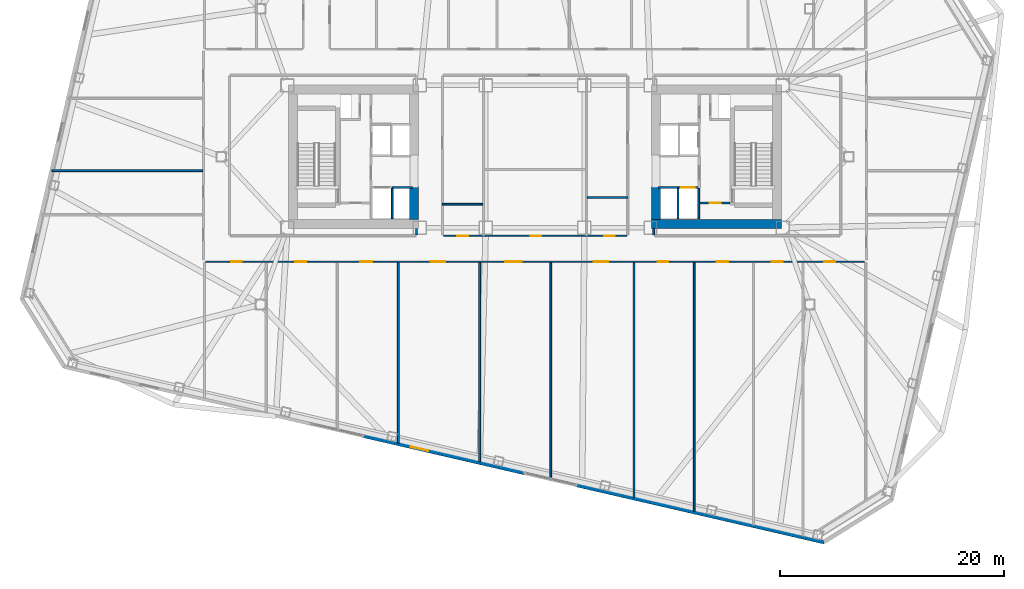
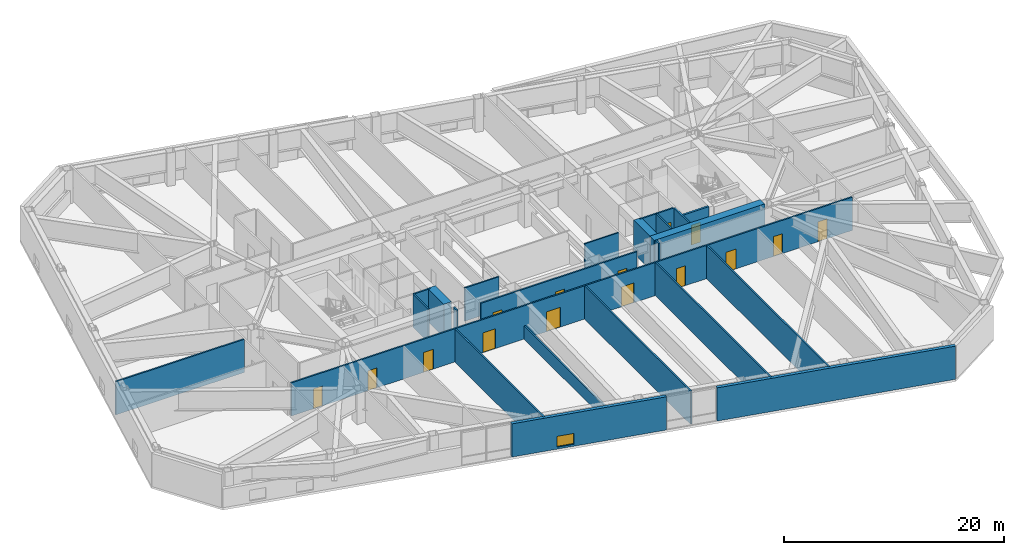
# One storey, part 10 of 19: 24 walls, 15 doors, 1 window, 16 openings.
"""IFC4 building model written with IfcOpenShell, lengths in metres."""

import ifcopenshell
import ifcopenshell.guid

model = None  # the IFC model being written
_history = None  # IfcOwnerHistory: only IFC2X3 demands one
_inside = {}  # id of a spatial element -> (the spatial element, [elements in it])
_under = {}  # id of a project, library or spatial element -> (it, [spatial elements below it])
_declared = {}  # id of a project -> (the project, [libraries it declares])
_typed = {}  # id of a type object -> (the type object, [elements of that type])
_made_of = {}  # id of a material, layer set ... -> (it, [elements and type objects made of it])


def new_model(schema):
    """Start an empty IFC model of exactly this schema.

    Asked for "IFC4X3", IfcOpenShell would pick the latest addendum, in which some entities
    have other attributes; the version numbers below select the first issue.
    IFC2X3 requires an IfcOwnerHistory on every rooted entity: one is made here for all.
    """
    global model, _history
    if schema == "IFC4X3":
        model = ifcopenshell.file(schema_version=(4, 3, 0, 0))
    else:
        model = ifcopenshell.file(schema=schema)
    _inside.clear()
    _under.clear()
    _declared.clear()
    _typed.clear()
    _made_of.clear()
    _history = None
    if model.schema == "IFC2X3":
        org = make("IfcOrganization", Name="unknown")
        user = make(
            "IfcPersonAndOrganization",
            ThePerson=make("IfcPerson", FamilyName="unknown"),
            TheOrganization=org,
        )
        app = make(
            "IfcApplication",
            ApplicationDeveloper=org,
            Version="unknown",
            ApplicationFullName="unknown",
            ApplicationIdentifier="unknown",
        )
        _history = make(
            "IfcOwnerHistory",
            OwningUser=user,
            OwningApplication=app,
            ChangeAction="ADDED",
            CreationDate=0,
        )
    return model


def make(cls, **values):
    """One entity of the class cls with the attributes given. An attribute that is None is left unset."""
    return model.create_entity(
        cls, **{name: value for name, value in values.items() if value is not None}
    )


def rooted(cls, **values):
    """An entity with a GlobalId (a new one), such as an element, a storey or a relation."""
    return make(cls, GlobalId=ifcopenshell.guid.new(), OwnerHistory=_history, **values)


def si_unit(unit_type, name, prefix=None):
    """IfcSIUnit, for example si_unit("LENGTHUNIT", "METRE", prefix="MILLI")."""
    return make("IfcSIUnit", UnitType=unit_type, Prefix=prefix, Name=name)


def assignment(units):
    """IfcUnitAssignment: the units of a project."""
    return None if units is None else make("IfcUnitAssignment", Units=units)


def point(xyz):
    """IfcCartesianPoint."""
    return None if xyz is None else make("IfcCartesianPoint", Coordinates=xyz)


def direction(xyz):
    """IfcDirection."""
    return None if xyz is None else make("IfcDirection", DirectionRatios=xyz)


def frame(location, z_axis=None, x_axis=None):
    """IfcAxis2Placement3D, a coordinate frame: its origin and axes. An axis left out is left unset."""
    return make(
        "IfcAxis2Placement3D",
        Location=point(location),
        Axis=direction(z_axis),
        RefDirection=direction(x_axis),
    )


def frame_2d(location, x_axis=None):
    """IfcAxis2Placement2D, a coordinate frame in the plane: its origin and x axis."""
    return make(
        "IfcAxis2Placement2D", Location=point(location), RefDirection=direction(x_axis)
    )


def origin():
    """The frame at (0, 0, 0) with its axes left unset."""
    return frame((0.0, 0.0, 0.0))


def place(relative_to, where):
    """IfcLocalPlacement: puts the frame where relative to a parent placement (None: the world)."""
    return make(
        "IfcLocalPlacement", PlacementRelTo=relative_to, RelativePlacement=where
    )


def context(
    kind, dimensions, precision=None, world=None, true_north=None, identifier=None
):
    """IfcGeometricRepresentationContext, for example the 3D "Model" context."""
    return make(
        "IfcGeometricRepresentationContext",
        ContextIdentifier=identifier,
        ContextType=kind,
        CoordinateSpaceDimension=dimensions,
        Precision=precision,
        WorldCoordinateSystem=world,
        TrueNorth=true_north,
    )


def subcontext(parent, identifier, kind, view, scale=None):
    """IfcGeometricRepresentationSubContext, for example "Body" below "Model"."""
    return make(
        "IfcGeometricRepresentationSubContext",
        ContextIdentifier=identifier,
        ContextType=kind,
        ParentContext=parent,
        TargetScale=scale,
        TargetView=view,
    )


def project(units=None, contexts=None):
    """IfcProject with its units and contexts."""
    return rooted(
        "IfcProject",
        Name="project",
        RepresentationContexts=contexts,
        UnitsInContext=assignment(units),
    )


def spatial(cls, under=None, at=None, **own):
    """A site, building, storey or space (cls), placed at a placement, below another one or the project."""
    s = rooted(cls, ObjectPlacement=at, **own)
    if under is not None:
        _under.setdefault(under.id(), (under, []))[1].append(s)
    return s


def profile(cls, at=None, kind="AREA", **sizes):
    """A parametric profile (cls). Its sizes go by their IFC names, for example OverallWidth=200.0."""
    return make(cls, ProfileType=kind, Position=at, **sizes)


def rectangle(**sizes):
    """IfcRectangleProfileDef."""
    return profile("IfcRectangleProfileDef", **sizes)


def extrude(swept, where, along, depth):
    """IfcExtrudedAreaSolid: the profile swept, set in the frame where, extruded along a direction by depth."""
    return make(
        "IfcExtrudedAreaSolid",
        SweptArea=swept,
        Position=where,
        ExtrudedDirection=direction(along),
        Depth=depth,
    )


def shape(context_of_items, identifier, shape_type, items):
    """IfcShapeRepresentation: the items that make up one representation, for example the "Body"."""
    return make(
        "IfcShapeRepresentation",
        ContextOfItems=context_of_items,
        RepresentationIdentifier=identifier,
        RepresentationType=shape_type,
        Items=items,
    )


def material(Name=None, Category=None):
    """IfcMaterial."""
    return make("IfcMaterial", Name=Name, Category=Category)


def layer(
    of_material, thickness, ventilated=None, Name=None, Category=None, Priority=None
):
    """IfcMaterialLayer: one layer of a wall or slab, of a material (None: an air gap)."""
    return make(
        "IfcMaterialLayer",
        Material=of_material,
        LayerThickness=thickness,
        IsVentilated=ventilated,
        Name=Name,
        Category=Category,
        Priority=Priority,
    )


def layer_set(layers, Name=None):
    """IfcMaterialLayerSet."""
    return make("IfcMaterialLayerSet", MaterialLayers=layers, LayerSetName=Name)


def made_of(thing, what):
    """Note that an element or type object is made of a material, layer set ...; save() writes the relation."""
    if what is not None:
        _made_of.setdefault(what.id(), (what, []))[1].append(thing)
    return thing


def type_object(cls, material=None, **own):
    """A type object (cls), such as IfcWallType, which elements share."""
    return made_of(rooted(cls, **own), material)


def element(
    cls,
    number,
    at=None,
    inside=None,
    cuts=None,
    type_object=None,
    material=None,
    context=None,
    identifier="Body",
    shape_type=None,
    held_by="IfcProductDefinitionShape",
    body=None,
    shapes=None,
    **own,
):
    """One element of the class cls, such as IfcWall. Its Tag is "e" and its number.

    at: its placement. inside: the storey or other place that contains it. cuts: it is an
    opening in that element (IfcRelVoidsElement). A single representation is given by context,
    identifier, shape_type and body (its items); several are given by shapes. held_by: the class
    of the entity that holds the representations. save() writes the other relations.
    """
    e = rooted(cls, Tag="e%d" % number, ObjectPlacement=at, **own)
    if body is not None:
        shapes = [shape(context, identifier, shape_type, body)]
    if shapes is not None:
        e.Representation = make(held_by, Representations=shapes)
    if inside is not None:
        _inside.setdefault(inside.id(), (inside, []))[1].append(e)
    if cuts is not None:
        rooted(
            "IfcRelVoidsElement", RelatingBuildingElement=cuts, RelatedOpeningElement=e
        )
    if type_object is not None:
        _typed.setdefault(type_object.id(), (type_object, []))[1].append(e)
    return made_of(e, material)


def fill(opening, filler):
    """IfcRelFillsElement: the door or window that sits in an opening."""
    return rooted(
        "IfcRelFillsElement",
        RelatingOpeningElement=opening,
        RelatedBuildingElement=filler,
    )


def aggregate(whole, parts):
    """IfcRelAggregates: a whole, such as a stair, and the parts it consists of."""
    return rooted("IfcRelAggregates", RelatingObject=whole, RelatedObjects=parts)


def save(model, path):
    """Write the relations noted so far, then the file.

    IfcRelAggregates (storeys below a building ...), IfcRelContainedInSpatialStructure (elements
    in a storey), IfcRelDefinesByType, IfcRelAssociatesMaterial and IfcRelDeclares: one each for
    every whole, place, type object, material and project.
    """
    for whole, parts in _under.values():
        aggregate(whole, parts)
    for where, things in _inside.values():
        rooted(
            "IfcRelContainedInSpatialStructure",
            RelatedElements=things,
            RelatingStructure=where,
        )
    for kind, things in _typed.values():
        rooted("IfcRelDefinesByType", RelatedObjects=things, RelatingType=kind)
    for what, things in _made_of.values():
        rooted("IfcRelAssociatesMaterial", RelatedObjects=things, RelatingMaterial=what)
    for by, libraries in _declared.values():
        rooted("IfcRelDeclares", RelatingContext=by, RelatedDefinitions=libraries)
    model.write(path)


model = new_model("IFC4")

# Units and contexts
model_context = context("Model", 3, precision=1e-05, world=origin(), true_north=direction((0.0, 1.0)))
body_context = subcontext(model_context, "Body", "Model", "MODEL_VIEW")
ifc_project = project(units=[si_unit("LENGTHUNIT", "METRE"), si_unit("AREAUNIT", "SQUARE_METRE"), si_unit("VOLUMEUNIT", "CUBIC_METRE"), si_unit("PLANEANGLEUNIT", "RADIAN"), si_unit("MASSUNIT", "GRAM", prefix="KILO")], contexts=[model_context])

# Site, building, storey
site_placement = place(None, origin())
site = spatial("IfcSite", under=ifc_project, at=site_placement, CompositionType="ELEMENT")
building_placement = place(site_placement, origin())
building = spatial("IfcBuilding", under=site, at=building_placement, Name="Tavrogorsk Clinical Tower", CompositionType="ELEMENT")
storey_placement = place(building_placement, frame((0.0, 0.0, 79.39990234375)))
storey = spatial("IfcBuildingStorey", under=building, at=storey_placement, Name="L17", CompositionType="ELEMENT", Elevation=79.39990234375)

# Wall, opening, door
ifc_material_1 = material(Name="Concrete B60", Category="concrete")
ifc_layer_1 = layer(ifc_material_1, 0.199951171875)
ifc_layer_set_1 = layer_set([ifc_layer_1], Name="Concrete B60")
wall_type_1 = type_object("IfcWallType", Name="CoreFireWall_200", PredefinedType="SOLIDWALL", material=ifc_layer_set_1)
wall_1_placement = place(storey_placement, frame((14.719970703125, -4.139892578125, 0.0), z_axis=(0.0, 0.0, 1.0), x_axis=(1.0, 0.0, 0.0)))
wall_1 = element("IfcWall", 1, at=wall_1_placement, inside=storey, type_object=wall_type_1, Name="L17 Core East South Core Room Fire Wall", PredefinedType="SOLIDWALL", context=body_context, shape_type="SweptSolid", body=[
    extrude(rectangle(XDim=2.659912109375, YDim=0.199951171875, at=frame_2d((1.330078125, 0.0))), origin(), (0.0, 0.0, 1.0), 3.68017578125),
])
opening_1_placement = place(wall_1_placement, frame((0.8798828125, 0.0, 0.0)))
opening_1 = element("IfcOpeningElement", 2, at=opening_1_placement, cuts=wall_1, Name="Opening ID-02", PredefinedType="OPENING", context=body_context, shape_type="SweptSolid", body=[
    extrude(rectangle(XDim=0.949951171875, YDim=2.199951171875, at=frame_2d((0.47509765625, 1.10009765625))), frame((0.0, 0.10986328125, 0.0), z_axis=(0.0, -1.0, 0.0), x_axis=(1.0, 0.0, 0.0)), (0.0, 0.0, 1.0), 0.219970703125),
])
ifc_material_2 = material(Name="Laminated timber leaf on aluminium frame", Category="wood")
door_type_1 = type_object("IfcDoorType", Name="InteriorDoor_ID02_950", OperationType="NOTDEFINED", PredefinedType="DOOR", material=ifc_material_2)
door_1_placement = place(opening_1_placement, origin())
door_1 = element("IfcDoor", 3, at=door_1_placement, inside=storey, type_object=door_type_1, Name="L17 Core East South Core Room Door", OperationType="SINGLE_SWING_RIGHT", OverallHeight=2.199951171875, OverallWidth=0.949951171875, PredefinedType="DOOR", context=body_context, shape_type="SweptSolid", body=[
    extrude(rectangle(XDim=0.949951171875, YDim=2.199951171875, at=frame_2d((0.47509765625, 1.10009765625))), frame((0.0, 0.02490234375, 0.0), z_axis=(0.0, -1.0, 0.0), x_axis=(1.0, 0.0, 0.0)), (0.0, 0.0, 1.0), 0.050048828125),
])
fill(opening_1, door_1)

# Walls
ifc_material_3 = material(Name="Lightweight concrete blockwork B15", Category="masonry")
ifc_layer_2 = layer(ifc_material_3, 0.139892578125)
ifc_layer_set_2 = layer_set([ifc_layer_2], Name="Lightweight concrete blockwork B15")
wall_type_2 = type_object("IfcWallType", Name="PartitionWall_140", PredefinedType="PARTITIONING", material=ifc_layer_set_2)
for number, where, z_axis, x_axis, name in (
    (4, (-8.264892578125, -4.25, 0.0), (0.0, 0.0, 1.0), (1.0, 0.0, 0.0), "L17 Central Spine Partition 4"),
    (5, (4.675048828125, -3.64990234375, 0.0), (0.0, 0.0, 1.0), (1.0, 0.0, 0.0), "L17 Central Spine Partition 5"),
):
    element("IfcWall", number, at=place(storey_placement, frame(where, z_axis=z_axis, x_axis=x_axis)), inside=storey, type_object=wall_type_2, Name=name, PredefinedType="PARTITIONING", context=body_context, shape_type="SweptSolid", body=[
        extrude(rectangle(XDim=3.58984375, YDim=0.139892578125, at=frame_2d((1.794921875, 0.0))), origin(), (0.0, 0.0, 1.0), 3.68017578125),
    ])

# Wall, openings, doors
ifc_material_4 = material(Name="Lightweight concrete blockwork B15", Category="masonry")
ifc_layer_3 = layer(ifc_material_4, 0.159912109375)
ifc_layer_set_3 = layer_set([ifc_layer_3], Name="Lightweight concrete blockwork B15")
wall_type_3 = type_object("IfcWallType", Name="PartitionWall_160", PredefinedType="PARTITIONING", material=ifc_layer_set_3)
wall_2_placement = place(storey_placement, frame((29.4150390625, -9.3798828125, 0.0), z_axis=(0.0, 0.0, 1.0), x_axis=(-1.0, 0.0, 0.0)))
wall_2 = element("IfcWall", 6, at=wall_2_placement, inside=storey, type_object=wall_type_3, Name="L17 Corridor Partition 08", PredefinedType="PARTITIONING", context=body_context, shape_type="SweptSolid", body=[
    extrude(rectangle(XDim=58.830078125, YDim=0.159912109375, at=frame_2d((29.4150390625, 0.0))), origin(), (0.0, 0.0, 1.0), 3.68017578125),
])
opening_2_placement = place(wall_2_placement, frame((55.580810546875, 0.0, 0.0)))
opening_2 = element("IfcOpeningElement", 7, at=opening_2_placement, cuts=wall_2, Name="Opening ID-02", PredefinedType="OPENING", context=body_context, shape_type="SweptSolid", body=[
    extrude(rectangle(XDim=0.949951171875, YDim=2.199951171875, at=frame_2d((0.47509765625, 1.10009765625))), frame((0.0, 0.08984375, 0.0), z_axis=(0.0, -1.0, 0.0), x_axis=(1.0, 0.0, 0.0)), (0.0, 0.0, 1.0), 0.179931640625),
])
opening_3_placement = place(wall_2_placement, frame((49.85009765625, 0.0, 0.0)))
opening_3 = element("IfcOpeningElement", 8, at=opening_3_placement, cuts=wall_2, Name="Opening ID-02", PredefinedType="OPENING", context=body_context, shape_type="SweptSolid", body=[
    extrude(rectangle(XDim=0.949951171875, YDim=2.199951171875, at=frame_2d((0.47509765625, 1.10009765625))), frame((0.0, 0.08984375, 0.0), z_axis=(0.0, -1.0, 0.0), x_axis=(1.0, 0.0, 0.0)), (0.0, 0.0, 1.0), 0.179931640625),
])
opening_4_placement = place(wall_2_placement, frame((43.949951171875, 0.0, 0.0)))
opening_4 = element("IfcOpeningElement", 9, at=opening_4_placement, cuts=wall_2, Name="Opening ID-04", PredefinedType="OPENING", context=body_context, shape_type="SweptSolid", body=[
    extrude(rectangle(XDim=1.050048828125, YDim=2.199951171875, at=frame_2d((0.52490234375, 1.10009765625))), frame((0.0, 0.08984375, 0.0), z_axis=(0.0, -1.0, 0.0), x_axis=(1.0, 0.0, 0.0)), (0.0, 0.0, 1.0), 0.179931640625),
])
opening_5_placement = place(wall_2_placement, frame((37.425048828125, 0.0, 0.0)))
opening_5 = element("IfcOpeningElement", 10, at=opening_5_placement, cuts=wall_2, Name="Opening ID-01", PredefinedType="OPENING", context=body_context, shape_type="SweptSolid", body=[
    extrude(rectangle(XDim=1.300048828125, YDim=2.199951171875, at=frame_2d((0.64990234375, 1.10009765625))), frame((0.0, 0.08984375, 0.0), z_axis=(0.0, -1.0, 0.0), x_axis=(1.0, 0.0, 0.0)), (0.0, 0.0, 1.0), 0.179931640625),
])
opening_6_placement = place(wall_2_placement, frame((30.625, 0.0, 0.0)))
opening_6 = element("IfcOpeningElement", 11, at=opening_6_placement, cuts=wall_2, Name="Opening ID-05", PredefinedType="OPENING", context=body_context, shape_type="SweptSolid", body=[
    extrude(rectangle(XDim=1.449951171875, YDim=2.199951171875, at=frame_2d((0.72509765625, 1.10009765625))), frame((0.0, 0.08984375, 0.0), z_axis=(0.0, -1.0, 0.0), x_axis=(1.0, 0.0, 0.0)), (0.0, 0.0, 1.0), 0.179931640625),
])
opening_7_placement = place(wall_2_placement, frame((22.89990234375, 0.0, 0.0)))
opening_7 = element("IfcOpeningElement", 12, at=opening_7_placement, cuts=wall_2, Name="Opening ID-01", PredefinedType="OPENING", context=body_context, shape_type="SweptSolid", body=[
    extrude(rectangle(XDim=1.300048828125, YDim=2.199951171875, at=frame_2d((0.64990234375, 1.10009765625))), frame((0.0, 0.08984375, 0.0), z_axis=(0.0, -1.0, 0.0), x_axis=(1.0, 0.0, 0.0)), (0.0, 0.0, 1.0), 0.179931640625),
])
opening_8_placement = place(wall_2_placement, frame((17.514892578125, 0.0, 0.0)))
opening_8 = element("IfcOpeningElement", 13, at=opening_8_placement, cuts=wall_2, Name="Opening ID-02", PredefinedType="OPENING", context=body_context, shape_type="SweptSolid", body=[
    extrude(rectangle(XDim=0.949951171875, YDim=2.199951171875, at=frame_2d((0.47509765625, 1.10009765625))), frame((0.0, 0.08984375, 0.0), z_axis=(0.0, -1.0, 0.0), x_axis=(1.0, 0.0, 0.0)), (0.0, 0.0, 1.0), 0.179931640625),
])
opening_9_placement = place(wall_2_placement, frame((12.175048828125, 0.0, 0.0)))
opening_9 = element("IfcOpeningElement", 14, at=opening_9_placement, cuts=wall_2, Name="Opening ID-04", PredefinedType="OPENING", context=body_context, shape_type="SweptSolid", body=[
    extrude(rectangle(XDim=1.050048828125, YDim=2.199951171875, at=frame_2d((0.52490234375, 1.10009765625))), frame((0.0, 0.08984375, 0.0), z_axis=(0.0, -1.0, 0.0), x_axis=(1.0, 0.0, 0.0)), (0.0, 0.0, 1.0), 0.179931640625),
])
opening_10_placement = place(wall_2_placement, frame((7.324951171875, 0.0, 0.0)))
opening_10 = element("IfcOpeningElement", 15, at=opening_10_placement, cuts=wall_2, Name="Opening ID-02", PredefinedType="OPENING", context=body_context, shape_type="SweptSolid", body=[
    extrude(rectangle(XDim=0.949951171875, YDim=2.199951171875, at=frame_2d((0.47509765625, 1.10009765625))), frame((0.0, 0.08984375, 0.0), z_axis=(0.0, -1.0, 0.0), x_axis=(1.0, 0.0, 0.0)), (0.0, 0.0, 1.0), 0.179931640625),
])
opening_11_placement = place(wall_2_placement, frame((2.63916015625, 0.0, 0.0)))
opening_11 = element("IfcOpeningElement", 16, at=opening_11_placement, cuts=wall_2, Name="Opening ID-02", PredefinedType="OPENING", context=body_context, shape_type="SweptSolid", body=[
    extrude(rectangle(XDim=0.949951171875, YDim=2.199951171875, at=frame_2d((0.47509765625, 1.10009765625))), frame((0.0, 0.08984375, 0.0), z_axis=(0.0, -1.0, 0.0), x_axis=(1.0, 0.0, 0.0)), (0.0, 0.0, 1.0), 0.179931640625),
])
ifc_material_5 = material(Name="Antibacterial HPL consultation door on aluminium frame", Category="aluminium")
door_type_2 = type_object("IfcDoorType", Name="ConsultDoor_ID04_1050", OperationType="NOTDEFINED", PredefinedType="DOOR", material=ifc_material_5)
door_2_placement = place(opening_4_placement, origin())
door_2 = element("IfcDoor", 17, at=door_2_placement, inside=storey, type_object=door_type_2, Name="L17 South Attending Physician Office 02B Door", OperationType="SINGLE_SWING_LEFT", OverallHeight=2.199951171875, OverallWidth=1.050048828125, PredefinedType="DOOR", context=body_context, shape_type="SweptSolid", body=[
    extrude(rectangle(XDim=1.050048828125, YDim=2.199951171875, at=frame_2d((0.52490234375, 1.10009765625))), frame((0.0, 0.02490234375, 0.0), z_axis=(0.0, -1.0, 0.0), x_axis=(1.0, 0.0, 0.0)), (0.0, 0.0, 1.0), 0.050048828125),
])
fill(opening_4, door_2)
door_3_placement = place(opening_9_placement, origin())
door_3 = element("IfcDoor", 18, at=door_3_placement, inside=storey, type_object=door_type_2, Name="L17 South Soiled Utility & Sluice Room 05A Door", OperationType="SINGLE_SWING_RIGHT", OverallHeight=2.199951171875, OverallWidth=1.050048828125, PredefinedType="DOOR", context=body_context, shape_type="SweptSolid", body=[
    extrude(rectangle(XDim=1.050048828125, YDim=2.199951171875, at=frame_2d((0.52490234375, 1.10009765625))), frame((0.0, 0.02490234375, 0.0), z_axis=(0.0, -1.0, 0.0), x_axis=(1.0, 0.0, 0.0)), (0.0, 0.0, 1.0), 0.050048828125),
])
fill(opening_9, door_3)
ifc_material_6 = material(Name="Antibacterial HPL bariatric ward double door")
door_type_3 = type_object("IfcDoorType", Name="DoubleWardDoor_ID05_1450", OperationType="DOUBLE_SWING_LEFT", PredefinedType="DOOR", material=ifc_material_6)
door_4_placement = place(opening_6_placement, origin())
door_4 = element("IfcDoor", 19, at=door_4_placement, inside=storey, type_object=door_type_3, Name="L17 South Acute Medical Ward 03B Door", OperationType="DOUBLE_SWING_LEFT", OverallHeight=2.199951171875, OverallWidth=1.449951171875, PredefinedType="DOOR", context=body_context, shape_type="SweptSolid", body=[
    extrude(rectangle(XDim=1.449951171875, YDim=2.199951171875, at=frame_2d((0.72509765625, 1.10009765625))), frame((0.0, 0.02490234375, 0.0), z_axis=(0.0, -1.0, 0.0), x_axis=(1.0, 0.0, 0.0)), (0.0, 0.0, 1.0), 0.050048828125),
])
fill(opening_6, door_4)
door_5_placement = place(opening_2_placement, origin())
door_5 = element("IfcDoor", 20, at=door_5_placement, inside=storey, type_object=door_type_1, Name="L17 South Clinical Case Seminar Room 01 Door", OperationType="SINGLE_SWING_LEFT", OverallHeight=2.199951171875, OverallWidth=0.949951171875, PredefinedType="DOOR", context=body_context, shape_type="SweptSolid", body=[
    extrude(rectangle(XDim=0.949951171875, YDim=2.199951171875, at=frame_2d((0.47509765625, 1.10009765625))), frame((0.0, 0.02490234375, 0.0), z_axis=(0.0, -1.0, 0.0), x_axis=(1.0, 0.0, 0.0)), (0.0, 0.0, 1.0), 0.050048828125),
])
fill(opening_2, door_5)
door_6_placement = place(opening_3_placement, origin())
door_6 = element("IfcDoor", 21, at=door_6_placement, inside=storey, type_object=door_type_1, Name="L17 South Staff Rest & Nourishment Lounge 02A Door", OperationType="SINGLE_SWING_RIGHT", OverallHeight=2.199951171875, OverallWidth=0.949951171875, PredefinedType="DOOR", context=body_context, shape_type="SweptSolid", body=[
    extrude(rectangle(XDim=0.949951171875, YDim=2.199951171875, at=frame_2d((0.47509765625, 1.10009765625))), frame((0.0, 0.02490234375, 0.0), z_axis=(0.0, -1.0, 0.0), x_axis=(1.0, 0.0, 0.0)), (0.0, 0.0, 1.0), 0.050048828125),
])
fill(opening_3, door_6)
door_7_placement = place(opening_8_placement, origin())
door_7 = element("IfcDoor", 22, at=door_7_placement, inside=storey, type_object=door_type_1, Name="L17 South Clean Medication & Prep Room 04B Door", OperationType="SINGLE_SWING_LEFT", OverallHeight=2.199951171875, OverallWidth=0.949951171875, PredefinedType="DOOR", context=body_context, shape_type="SweptSolid", body=[
    extrude(rectangle(XDim=0.949951171875, YDim=2.199951171875, at=frame_2d((0.47509765625, 1.10009765625))), frame((0.0, 0.02490234375, 0.0), z_axis=(0.0, -1.0, 0.0), x_axis=(1.0, 0.0, 0.0)), (0.0, 0.0, 1.0), 0.050048828125),
])
fill(opening_8, door_7)
door_8_placement = place(opening_10_placement, origin())
door_8 = element("IfcDoor", 23, at=door_8_placement, inside=storey, type_object=door_type_1, Name="L17 South Outpatient Procedure Suite 05B Door", OperationType="SINGLE_SWING_LEFT", OverallHeight=2.199951171875, OverallWidth=0.949951171875, PredefinedType="DOOR", context=body_context, shape_type="SweptSolid", body=[
    extrude(rectangle(XDim=0.949951171875, YDim=2.199951171875, at=frame_2d((0.47509765625, 1.10009765625))), frame((0.0, 0.02490234375, 0.0), z_axis=(0.0, -1.0, 0.0), x_axis=(1.0, 0.0, 0.0)), (0.0, 0.0, 1.0), 0.050048828125),
])
fill(opening_10, door_8)
door_9_placement = place(opening_11_placement, origin())
door_9 = element("IfcDoor", 24, at=door_9_placement, inside=storey, type_object=door_type_1, Name="L17 South Clinical Case Seminar Room 06 Door", OperationType="SINGLE_SWING_RIGHT", OverallHeight=2.199951171875, OverallWidth=0.949951171875, PredefinedType="DOOR", context=body_context, shape_type="SweptSolid", body=[
    extrude(rectangle(XDim=0.949951171875, YDim=2.199951171875, at=frame_2d((0.47509765625, 1.10009765625))), frame((0.0, 0.02490234375, 0.0), z_axis=(0.0, -1.0, 0.0), x_axis=(1.0, 0.0, 0.0)), (0.0, 0.0, 1.0), 0.050048828125),
])
fill(opening_11, door_9)
ifc_material_7 = material(Name="Antibacterial HPL medical leaf on aluminium frame", Category="aluminium")
door_type_4 = type_object("IfcDoorType", Name="WardBedDoor_ID01_1300", OperationType="NOTDEFINED", PredefinedType="DOOR", material=ifc_material_7)
door_10_placement = place(opening_5_placement, origin())
door_10 = element("IfcDoor", 25, at=door_10_placement, inside=storey, type_object=door_type_4, Name="L17 South Bariatric Observation Ward 03A Door", OperationType="SINGLE_SWING_RIGHT", OverallHeight=2.199951171875, OverallWidth=1.300048828125, PredefinedType="DOOR", context=body_context, shape_type="SweptSolid", body=[
    extrude(rectangle(XDim=1.300048828125, YDim=2.199951171875, at=frame_2d((0.64990234375, 1.10009765625))), frame((0.0, 0.02490234375, 0.0), z_axis=(0.0, -1.0, 0.0), x_axis=(1.0, 0.0, 0.0)), (0.0, 0.0, 1.0), 0.050048828125),
])
fill(opening_5, door_10)
door_11_placement = place(opening_7_placement, origin())
door_11 = element("IfcDoor", 26, at=door_11_placement, inside=storey, type_object=door_type_4, Name="L17 South Surgical Step-Down Ward 04A Door", OperationType="SINGLE_SWING_RIGHT", OverallHeight=2.199951171875, OverallWidth=1.300048828125, PredefinedType="DOOR", context=body_context, shape_type="SweptSolid", body=[
    extrude(rectangle(XDim=1.300048828125, YDim=2.199951171875, at=frame_2d((0.64990234375, 1.10009765625))), frame((0.0, 0.02490234375, 0.0), z_axis=(0.0, -1.0, 0.0), x_axis=(1.0, 0.0, 0.0)), (0.0, 0.0, 1.0), 0.050048828125),
])
fill(opening_7, door_11)

# Wall
wall_3_placement = place(storey_placement, frame((10.580078125, -6.419921875, 0.0), z_axis=(0.0, 0.0, 1.0), x_axis=(0.0, -1.0, 0.0)))
element("IfcWall", 27, at=wall_3_placement, inside=storey, type_object=wall_type_3, Name="L17 Corridor Partition 11", PredefinedType="PARTITIONING", context=body_context, shape_type="SweptSolid", body=[
    extrude(rectangle(XDim=0.565185546875, YDim=0.159912109375, at=frame_2d((0.28271484375, 0.0))), origin(), (0.0, 0.0, 1.0), 3.68017578125),
])

# Wall, openings, doors
wall_4_placement = place(storey_placement, frame((-8.18505859375, -7.070068359375, 0.0), z_axis=(0.0, 0.0, 1.0), x_axis=(1.0, 0.0, 0.0)))
wall_4 = element("IfcWall", 28, at=wall_4_placement, inside=storey, type_object=wall_type_3, Name="L17 Corridor Partition 17", PredefinedType="PARTITIONING", context=body_context, shape_type="SweptSolid", body=[
    extrude(rectangle(XDim=16.3701171875, YDim=0.159912109375, at=frame_2d((8.18505859375, 0.0))), origin(), (0.0, 0.0, 1.0), 3.68017578125),
])
opening_12_placement = place(wall_4_placement, frame((1.254150390625, 0.0, 0.0)))
opening_12 = element("IfcOpeningElement", 29, at=opening_12_placement, cuts=wall_4, Name="Opening ID-02", PredefinedType="OPENING", context=body_context, shape_type="SweptSolid", body=[
    extrude(rectangle(XDim=0.949951171875, YDim=2.199951171875, at=frame_2d((0.47509765625, 1.10009765625))), frame((0.0, 0.08984375, 0.0), z_axis=(0.0, -1.0, 0.0), x_axis=(1.0, 0.0, 0.0)), (0.0, 0.0, 1.0), 0.179931640625),
])
opening_13_placement = place(wall_4_placement, frame((7.794921875, 0.0, 0.0)))
opening_13 = element("IfcOpeningElement", 30, at=opening_13_placement, cuts=wall_4, Name="Opening ID-02", PredefinedType="OPENING", context=body_context, shape_type="SweptSolid", body=[
    extrude(rectangle(XDim=0.949951171875, YDim=2.199951171875, at=frame_2d((0.47509765625, 1.10009765625))), frame((0.0, 0.08984375, 0.0), z_axis=(0.0, -1.0, 0.0), x_axis=(1.0, 0.0, 0.0)), (0.0, 0.0, 1.0), 0.179931640625),
])
opening_14_placement = place(wall_4_placement, frame((14.3359375, 0.0, 0.0)))
opening_14 = element("IfcOpeningElement", 31, at=opening_14_placement, cuts=wall_4, Name="Opening ID-02", PredefinedType="OPENING", context=body_context, shape_type="SweptSolid", body=[
    extrude(rectangle(XDim=0.949951171875, YDim=2.199951171875, at=frame_2d((0.47509765625, 1.10009765625))), frame((0.0, 0.08984375, 0.0), z_axis=(0.0, -1.0, 0.0), x_axis=(1.0, 0.0, 0.0)), (0.0, 0.0, 1.0), 0.179931640625),
])
door_12_placement = place(opening_12_placement, origin())
door_12 = element("IfcDoor", 32, at=door_12_placement, inside=storey, type_object=door_type_1, Name="L17 Accessible Patient Lavatory Door", OperationType="SINGLE_SWING_LEFT", OverallHeight=2.199951171875, OverallWidth=0.949951171875, PredefinedType="DOOR", context=body_context, shape_type="SweptSolid", body=[
    extrude(rectangle(XDim=0.949951171875, YDim=2.199951171875, at=frame_2d((0.47509765625, 1.10009765625))), frame((0.0, 0.02490234375, 0.0), z_axis=(0.0, -1.0, 0.0), x_axis=(1.0, 0.0, 0.0)), (0.0, 0.0, 1.0), 0.050048828125),
])
fill(opening_12, door_12)
door_13_placement = place(opening_13_placement, origin())
door_13 = element("IfcDoor", 33, at=door_13_placement, inside=storey, type_object=door_type_1, Name="L17 Multidisciplinary Conference Room Door", OperationType="SINGLE_SWING_LEFT", OverallHeight=2.199951171875, OverallWidth=0.949951171875, PredefinedType="DOOR", context=body_context, shape_type="SweptSolid", body=[
    extrude(rectangle(XDim=0.949951171875, YDim=2.199951171875, at=frame_2d((0.47509765625, 1.10009765625))), frame((0.0, 0.02490234375, 0.0), z_axis=(0.0, -1.0, 0.0), x_axis=(1.0, 0.0, 0.0)), (0.0, 0.0, 1.0), 0.050048828125),
])
fill(opening_13, door_13)
door_14_placement = place(opening_14_placement, origin())
door_14 = element("IfcDoor", 34, at=door_14_placement, inside=storey, type_object=door_type_1, Name="L17 Staff & Visitor Accessible WC Door", OperationType="SINGLE_SWING_LEFT", OverallHeight=2.199951171875, OverallWidth=0.949951171875, PredefinedType="DOOR", context=body_context, shape_type="SweptSolid", body=[
    extrude(rectangle(XDim=0.949951171875, YDim=2.199951171875, at=frame_2d((0.47509765625, 1.10009765625))), frame((0.0, 0.02490234375, 0.0), z_axis=(0.0, -1.0, 0.0), x_axis=(1.0, 0.0, 0.0)), (0.0, 0.0, 1.0), 0.050048828125),
])
fill(opening_14, door_14)

# Walls
wall_5_placement = place(storey_placement, frame((-10.580078125, -6.985107421875, 0.0), z_axis=(0.0, 0.0, 1.0), x_axis=(0.0, 1.0, 0.0)))
element("IfcWall", 35, at=wall_5_placement, inside=storey, type_object=wall_type_3, Name="L17 Corridor Partition 18", PredefinedType="PARTITIONING", context=body_context, shape_type="SweptSolid", body=[
    extrude(rectangle(XDim=0.565185546875, YDim=0.159912109375, at=frame_2d((0.28271484375, 0.0))), origin(), (0.0, 0.0, 1.0), 3.68017578125),
])
wall_6_placement = place(storey_placement, frame((-12.199951171875, -25.564697265625, 0.0), z_axis=(0.0, 0.0, 1.0), x_axis=(0.0, 1.0, 0.0)))
element("IfcWall", 36, at=wall_6_placement, inside=storey, type_object=wall_type_3, Name="L17 South Room Partition 2", PredefinedType="PARTITIONING", context=body_context, shape_type="SweptSolid", body=[
    extrude(rectangle(XDim=16.099609375, YDim=0.159912109375, at=frame_2d((8.0498046875, 0.0))), origin(), (0.0, 0.0, 1.0), 3.68017578125),
])
wall_7_placement = place(storey_placement, frame((1.39990234375, -28.704345703125, 0.0), z_axis=(0.0, 0.0, 1.0), x_axis=(0.0, 1.0, 0.0)))
element("IfcWall", 37, at=wall_7_placement, inside=storey, type_object=wall_type_3, Name="L17 South Room Partition 3", PredefinedType="PARTITIONING", context=body_context, shape_type="SweptSolid", body=[
    extrude(rectangle(XDim=19.2392578125, YDim=0.159912109375, at=frame_2d((9.61962890625, 0.0))), origin(), (0.0, 0.0, 1.0), 3.68017578125),
])
wall_8_placement = place(storey_placement, frame((14.199951171875, -31.659423828125, 0.0), z_axis=(0.0, 0.0, 1.0), x_axis=(0.0, 1.0, 0.0)))
element("IfcWall", 38, at=wall_8_placement, inside=storey, type_object=wall_type_3, Name="L17 South Room Partition 4", PredefinedType="PARTITIONING", context=body_context, shape_type="SweptSolid", body=[
    extrude(rectangle(XDim=22.1943359375, YDim=0.159912109375, at=frame_2d((11.09716796875, 0.0))), origin(), (0.0, 0.0, 1.0), 3.68017578125),
])
wall_9_placement = place(storey_placement, frame((-4.949951171875, -27.23828125, 0.0), z_axis=(0.0, 0.0, 1.0), x_axis=(0.0, 1.0, 0.0)))
element("IfcWall", 39, at=wall_9_placement, inside=storey, type_object=wall_type_3, Name="L17 South Sub-Partition 3", PredefinedType="PARTITIONING", context=body_context, shape_type="SweptSolid", body=[
    extrude(rectangle(XDim=17.773193359375, YDim=0.159912109375, at=frame_2d((8.88671875, 0.0))), origin(), (0.0, 0.0, 1.0), 1.47509765625),
])
wall_10_placement = place(storey_placement, frame((8.820068359375, -30.41748046875, 0.0), z_axis=(0.0, 0.0, 1.0), x_axis=(0.0, 1.0, 0.0)))
element("IfcWall", 40, at=wall_10_placement, inside=storey, type_object=wall_type_3, Name="L17 South Sub-Partition 4", PredefinedType="PARTITIONING", context=body_context, shape_type="SweptSolid", body=[
    extrude(rectangle(XDim=20.952392578125, YDim=0.159912109375, at=frame_2d((10.47607421875, 0.0))), origin(), (0.0, 0.0, 1.0), 3.68017578125),
])
wall_11_placement = place(storey_placement, frame((-43.130126953125, -1.25, 0.0), z_axis=(0.0, 0.0, 1.0), x_axis=(1.0, 0.0, 0.0)))
element("IfcWall", 41, at=wall_11_placement, inside=storey, type_object=wall_type_3, Name="L17 W Wing Divider 2", PredefinedType="PARTITIONING", context=body_context, shape_type="SweptSolid", body=[
    extrude(rectangle(XDim=13.465087890625, YDim=0.159912109375, at=frame_2d((6.732421875, 0.0))), origin(), (0.0, 0.0, 1.0), 3.68017578125),
])

# Wall, opening, window
ifc_material_8 = material(Name="Precast concrete B45 with limestone cladding", Category="masonry")
ifc_layer_4 = layer(ifc_material_8, 0.340087890625)
ifc_layer_set_4 = layer_set([ifc_layer_4], Name="Precast concrete B45 with limestone cladding")
wall_type_4 = type_object("IfcWallType", Name="PrecastLimestoneWall_340", PredefinedType="STANDARD", material=ifc_layer_set_4)
wall_12_placement = place(storey_placement, frame((-15.28076171875, -24.925048828125, 0.0), z_axis=(0.0, 0.0, 1.0), x_axis=(0.974370193991, -0.22495049469, 0.0)))
wall_12 = element("IfcWall", 42, at=wall_12_placement, inside=storey, type_object=wall_type_4, Name="L17 S Limestone Facade Wall 2", PredefinedType="STANDARD", context=body_context, shape_type="SweptSolid", body=[
    extrude(rectangle(XDim=14.697265625, YDim=0.340087890625, at=frame_2d((7.3486328125, 0.0))), origin(), (0.0, 0.0, 1.0), 3.68017578125),
])
opening_15_placement = place(wall_12_placement, frame((4.306396484375, 0.0, 0.219970703125)))
opening_15 = element("IfcOpeningElement", 43, at=opening_15_placement, cuts=wall_12, Name="Opening WN-09", PredefinedType="OPENING", context=body_context, shape_type="SweptSolid", body=[
    extrude(rectangle(XDim=1.60009765625, YDim=1.199951171875, at=frame_2d((0.800048828125, 0.60009765625))), frame((0.0, 0.179931640625, 0.0), z_axis=(0.0, -1.0, 0.0), x_axis=(1.0, 0.0, 0.0)), (0.0, 0.0, 1.0), 0.360107421875),
])
ifc_material_9 = material(Name="Thermally broken aluminium frame and triple IGU", Category="aluminium")
window_type = type_object("IfcWindowType", Name="LowHeadTransWin_1600x1200", PartitioningType="DOUBLE_PANEL_VERTICAL", PredefinedType="WINDOW", material=ifc_material_9)
window_placement = place(opening_15_placement, origin())
window = element("IfcWindow", 44, at=window_placement, inside=storey, type_object=window_type, Name="L17 S Chicago Window 05", OverallHeight=1.199951171875, OverallWidth=1.60009765625, PartitioningType="SINGLE_PANEL", PredefinedType="WINDOW", context=body_context, shape_type="SweptSolid", body=[
    extrude(rectangle(XDim=1.60009765625, YDim=1.199951171875, at=frame_2d((0.800048828125, 0.60009765625))), frame((0.0, 0.030029296875, 0.0), z_axis=(0.0, -1.0, 0.0), x_axis=(1.0, 0.0, 0.0)), (0.0, 0.0, 1.0), 0.06005859375),
])
fill(opening_15, window)

# Walls
wall_13_placement = place(storey_placement, frame((3.716796875, -29.31103515625, 0.0), z_axis=(0.0, 0.0, 1.0), x_axis=(0.97436993772, -0.224951604723, 0.0)))
element("IfcWall", 45, at=wall_13_placement, inside=storey, type_object=wall_type_4, Name="L17 S Limestone Facade Wall 3", PredefinedType="STANDARD", context=body_context, shape_type="SweptSolid", body=[
    extrude(rectangle(XDim=22.6513671875, YDim=0.340087890625, at=frame_2d((11.32568359375, 0.0))), origin(), (0.0, 0.0, 1.0), 3.68017578125),
])
ifc_material_10 = material(Name="Lightweight concrete blockwork B25", Category="masonry")
ifc_layer_5 = layer(ifc_material_10, 0.159912109375)
ifc_layer_set_5 = layer_set([ifc_layer_5], Name="Lightweight concrete blockwork B25")
wall_type_5 = type_object("IfcWallType", Name="ShaftWall_160", PredefinedType="PARTITIONING", material=ifc_layer_set_5)
wall_14_placement = place(storey_placement, frame((-12.75, -5.5400390625, 0.0), z_axis=(0.0, 0.0, 1.0), x_axis=(0.0, 1.0, 0.0)))
element("IfcWall", 46, at=wall_14_placement, inside=storey, type_object=wall_type_5, Name="L17 LP-L1 Lift Hoistway Divider Wall", PredefinedType="PARTITIONING", context=body_context, shape_type="SweptSolid", body=[
    extrude(rectangle(XDim=2.699951171875, YDim=0.159912109375, at=frame_2d((1.35009765625, 0.0))), origin(), (0.0, 0.0, 1.0), 3.68017578125),
])
wall_15_placement = place(storey_placement, frame((-12.72998046875, -2.75, 0.0), z_axis=(0.0, 0.0, 1.0), x_axis=(1.0, 0.0, 0.0)))
element("IfcWall", 47, at=wall_15_placement, inside=storey, type_object=wall_type_5, Name="L17 LP-M1 Lift Shaft Portal Wall", PredefinedType="PARTITIONING", context=body_context, shape_type="SweptSolid", body=[
    extrude(rectangle(XDim=1.760009765625, YDim=0.159912109375, at=frame_2d((0.8798828125, 0.0))), origin(), (0.0, 0.0, 1.0), 3.68017578125),
])

# Wall, opening, door
wall_16_placement = place(storey_placement, frame((12.77001953125, -2.75, 0.0), z_axis=(0.0, 0.0, 1.0), x_axis=(1.0, 0.0, 0.0)))
wall_16 = element("IfcWall", 48, at=wall_16_placement, inside=storey, type_object=wall_type_5, Name="L17 LP-L2 Lift Shaft Portal Wall", PredefinedType="PARTITIONING", context=body_context, shape_type="SweptSolid", body=[
    extrude(rectangle(XDim=1.760009765625, YDim=0.159912109375, at=frame_2d((0.8798828125, 0.0))), origin(), (0.0, 0.0, 1.0), 3.68017578125),
])
opening_16_placement = place(wall_16_placement, frame((0.280029296875, 0.0, 0.0)))
opening_16 = element("IfcOpeningElement", 49, at=opening_16_placement, cuts=wall_16, Name="Opening LD", PredefinedType="OPENING", context=body_context, shape_type="SweptSolid", body=[
    extrude(rectangle(XDim=1.199951171875, YDim=2.199951171875, at=frame_2d((0.60009765625, 1.10009765625))), frame((0.0, 0.08984375, 0.0), z_axis=(0.0, -1.0, 0.0), x_axis=(1.0, 0.0, 0.0)), (0.0, 0.0, 1.0), 0.179931640625),
])
ifc_material_11 = material(Name="Brushed stainless steel AISI 304 sliding doors", Category="steel")
door_type_5 = type_object("IfcDoorType", Name="LiftLandingDoor_LD_1200", OperationType="SLIDING_TO_LEFT", PredefinedType="DOOR", material=ifc_material_11)
door_15_placement = place(opening_16_placement, origin())
door_15 = element("IfcDoor", 50, at=door_15_placement, inside=storey, type_object=door_type_5, Name="L17 LP-L2 Sliding Lift Landing Door", OperationType="SLIDING_TO_LEFT", OverallHeight=2.199951171875, OverallWidth=1.199951171875, PredefinedType="DOOR", context=body_context, shape_type="SweptSolid", body=[
    extrude(rectangle(XDim=1.199951171875, YDim=2.199951171875, at=frame_2d((0.60009765625, 1.10009765625))), frame((0.0, 0.02490234375, 0.0), z_axis=(0.0, -1.0, 0.0), x_axis=(1.0, 0.0, 0.0)), (0.0, 0.0, 1.0), 0.050048828125),
])
fill(opening_16, door_15)

# Walls
for number, where, z_axis, x_axis, name in (
    (51, (12.75, -5.5400390625, 0.0), (0.0, 0.0, 1.0), (0.0, 1.0, 0.0), "L17 LP-L2 Lift Hoistway Divider Wall"),
    (52, (14.610107421875, -5.5400390625, 0.0), (0.0, 0.0, 1.0), (0.0, 1.0, 0.0), "L17 LP-L2 Lift Hoistway Outer Cheek Wall"),
):
    element("IfcWall", number, at=place(storey_placement, frame(where, z_axis=z_axis, x_axis=x_axis)), inside=storey, type_object=wall_type_5, Name=name, PredefinedType="PARTITIONING", context=body_context, shape_type="SweptSolid", body=[
        extrude(rectangle(XDim=2.699951171875, YDim=0.159912109375, at=frame_2d((1.35009765625, 0.0))), origin(), (0.0, 0.0, 1.0), 3.68017578125),
    ])
wall_17_placement = place(storey_placement, frame((10.969970703125, -2.75, 0.0), z_axis=(0.0, 0.0, 1.0), x_axis=(1.0, 0.0, 0.0)))
element("IfcWall", 53, at=wall_17_placement, inside=storey, type_object=wall_type_5, Name="L17 LP-M2 Lift Shaft Portal Wall", PredefinedType="PARTITIONING", context=body_context, shape_type="SweptSolid", body=[
    extrude(rectangle(XDim=1.760009765625, YDim=0.159912109375, at=frame_2d((0.8798828125, 0.0))), origin(), (0.0, 0.0, 1.0), 3.68017578125),
])
ifc_material_12 = material(Name="Concrete B80", Category="concrete")
ifc_layer_6 = layer(ifc_material_12, 0.800048828125)
ifc_layer_set_6 = layer_set([ifc_layer_6], Name="Concrete B80")
wall_type_6 = type_object("IfcWallType", Name="ShearWall_800", PredefinedType="SHEAR", material=ifc_layer_set_6)
wall_18_placement = place(storey_placement, frame((-10.800048828125, -5.60009765625, 0.0), z_axis=(0.0, 0.0, 1.0), x_axis=(0.0, 1.0, 0.0)))
element("IfcWall", 54, at=wall_18_placement, inside=storey, type_object=wall_type_6, Name="L17 Core West Inner South Pier", PredefinedType="SHEAR", context=body_context, shape_type="SweptSolid", body=[
    extrude(rectangle(XDim=2.9501953125, YDim=0.800048828125, at=frame_2d((1.47509765625, 0.0))), origin(), (0.0, 0.0, 1.0), 3.68017578125),
])
wall_19_placement = place(storey_placement, frame((10.39990234375, -6.0, 0.0), z_axis=(0.0, 0.0, 1.0), x_axis=(1.0, 0.0, 0.0)))
element("IfcWall", 55, at=wall_19_placement, inside=storey, type_object=wall_type_6, Name="L17 Core East South Shear Wall", PredefinedType="SHEAR", context=body_context, shape_type="SweptSolid", body=[
    extrude(rectangle(XDim=11.60009765625, YDim=0.800048828125, at=frame_2d((5.800048828125, 0.0))), origin(), (0.0, 0.0, 1.0), 3.68017578125),
])
wall_20_placement = place(storey_placement, frame((10.800048828125, -5.60009765625, 0.0), z_axis=(0.0, 0.0, 1.0), x_axis=(0.0, 1.0, 0.0)))
element("IfcWall", 56, at=wall_20_placement, inside=storey, type_object=wall_type_6, Name="L17 Core East Inner South Pier", PredefinedType="SHEAR", context=body_context, shape_type="SweptSolid", body=[
    extrude(rectangle(XDim=2.9501953125, YDim=0.800048828125, at=frame_2d((1.47509765625, 0.0))), origin(), (0.0, 0.0, 1.0), 3.68017578125),
])

save(model, "model.ifc")
